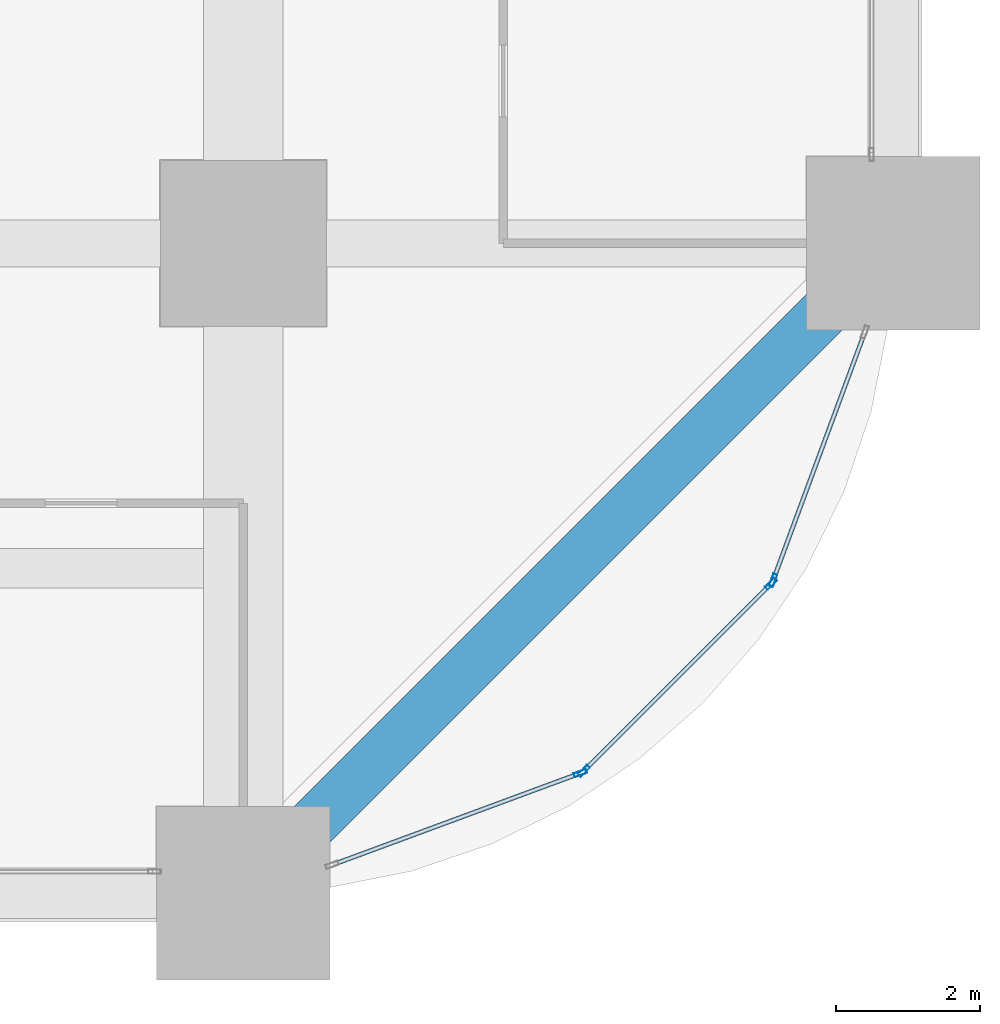
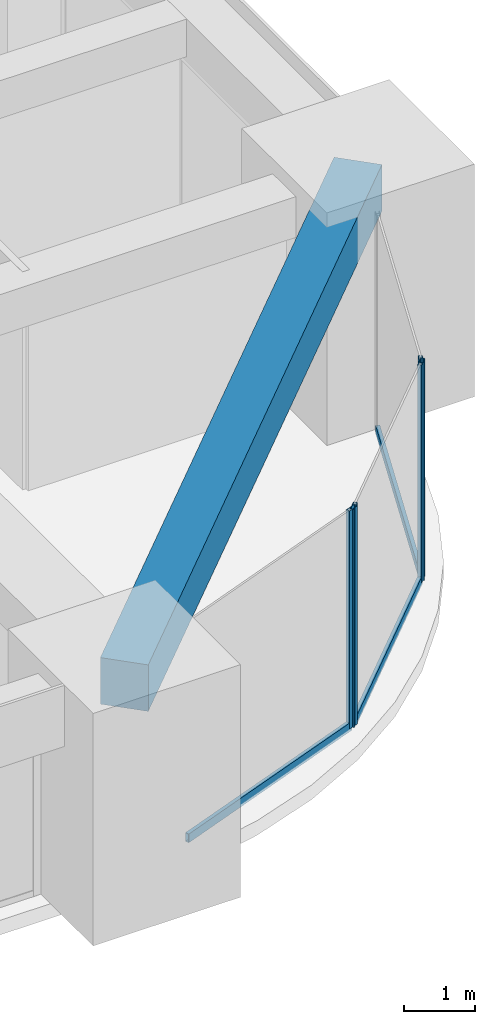
# One storey, part 16 of 45: 7 members, 1 beam, 3 elements without a shape of their own.
"""IFC4 building model written with IfcOpenShell, lengths in metres."""

from ifc_helpers import new_model, si_unit, direction, frame, origin, origin_2d, place, context, subcontext, project, spatial, rectangle, hollow_rectangle, extrude, material, material_profile, profile_set, type_object, element, aggregate, save


model = new_model("IFC4")

# Units and contexts
model_context = context("Model", 3, precision=1e-05, world=origin(), true_north=direction((0.0, 1.0)))
body_context = subcontext(model_context, "Body", "Model", "MODEL_VIEW")
ifc_project = project(units=[si_unit("LENGTHUNIT", "METRE"), si_unit("AREAUNIT", "SQUARE_METRE"), si_unit("VOLUMEUNIT", "CUBIC_METRE"), si_unit("PLANEANGLEUNIT", "RADIAN"), si_unit("MASSUNIT", "GRAM", prefix="KILO")], contexts=[model_context])

# Site, building, storey
site_placement = place(None, origin())
site = spatial("IfcSite", under=ifc_project, at=site_placement, CompositionType="ELEMENT")
building_placement = place(site_placement, origin())
building = spatial("IfcBuilding", under=site, at=building_placement, Name="Zorevar Civic Tower", CompositionType="ELEMENT")
storey_placement = place(building_placement, frame((0.0, 0.0, 23.800048828125)))
storey = spatial("IfcBuildingStorey", under=building, at=storey_placement, Name="L05", CompositionType="ELEMENT", Elevation=23.800048828125)

# Curtain wall, member
ifc_material_1 = material(Name="Dark grey solar-control glass in black aluminium frame", Category="aluminium")
curtain_wall_type = type_object("IfcCurtainWallType", Name="Curtain wall CW2 low zone", PredefinedType="NOTDEFINED", material=ifc_material_1)
curtain_wall_1_placement = place(storey_placement, origin())
curtain_wall_1 = element("IfcCurtainWall", 1, at=curtain_wall_1_placement, inside=storey, type_object=curtain_wall_type, Name="CW2 L05", PredefinedType="NOTDEFINED")
ifc_material_2 = material(Name="Aluminium, black anodised", Category="aluminium")
ifc_material_profile_1 = material_profile(ifc_material_2, hollow_rectangle(XDim=0.06005859375, YDim=0.179931640625, WallThickness=0.00390625, at=origin_2d()), Name="AL 180x60x4")
ifc_profile_set_1 = profile_set([ifc_material_profile_1], Name="Aluminium, black anodised")
member_type_1 = type_object("IfcMemberType", Name="CW2 mullion AL 180x60x4", PredefinedType="MULLION", material=ifc_profile_set_1)
member_1_placement = place(storey_placement, frame((58.66455078125, 1.663818359375, 0.0), z_axis=(0.0, 0.0, 1.0), x_axis=(-0.346704012033, 0.937974588163, 0.0)))
member_1 = element("IfcMember", 2, at=member_1_placement, type_object=member_type_1, Name="CW2 mullion 2", PredefinedType="MULLION", context=body_context, shape_type="SweptSolid", body=[
    extrude(hollow_rectangle(XDim=0.06005859375, YDim=0.179931640625, WallThickness=0.00390625, at=origin_2d()), origin(), (0.0, 0.0, 1.0), 3.75),
])

# Curtain wall, members
curtain_wall_2_placement = place(storey_placement, origin())
curtain_wall_2 = element("IfcCurtainWall", 3, at=curtain_wall_2_placement, inside=storey, type_object=curtain_wall_type, Name="CW2 L05", PredefinedType="NOTDEFINED")
member_2_placement = place(storey_placement, frame((58.7138671875, 1.6953125, 0.0), z_axis=(0.0, 0.0, 1.0), x_axis=(-0.707106781187, 0.707106781187, 0.0)))
member_2 = element("IfcMember", 4, at=member_2_placement, type_object=member_type_1, Name="CW2 mullion 1", PredefinedType="MULLION", context=body_context, shape_type="SweptSolid", body=[
    extrude(hollow_rectangle(XDim=0.06005859375, YDim=0.179931640625, WallThickness=0.00390625, at=origin_2d()), origin(), (0.0, 0.0, 1.0), 3.75),
])
member_3_placement = place(storey_placement, frame((61.3046875, 4.2861328125, 0.0), z_axis=(0.0, 0.0, 1.0), x_axis=(-0.707106781187, 0.707106781187, 0.0)))
member_3 = element("IfcMember", 5, at=member_3_placement, type_object=member_type_1, Name="CW2 mullion 2", PredefinedType="MULLION", context=body_context, shape_type="SweptSolid", body=[
    extrude(hollow_rectangle(XDim=0.06005859375, YDim=0.179931640625, WallThickness=0.00390625, at=origin_2d()), origin(), (0.0, 0.0, 1.0), 3.75),
])

# Curtain wall, member
curtain_wall_3_placement = place(storey_placement, origin())
curtain_wall_3 = element("IfcCurtainWall", 6, at=curtain_wall_3_placement, inside=storey, type_object=curtain_wall_type, Name="CW2 L05", PredefinedType="NOTDEFINED")
member_4_placement = place(storey_placement, frame((61.336181640625, 4.33544921875, 0.0), z_axis=(0.0, 0.0, 1.0), x_axis=(-0.937974588163, 0.346704012033, 0.0)))
member_4 = element("IfcMember", 7, at=member_4_placement, type_object=member_type_1, Name="CW2 mullion 1", PredefinedType="MULLION", context=body_context, shape_type="SweptSolid", body=[
    extrude(hollow_rectangle(XDim=0.06005859375, YDim=0.179931640625, WallThickness=0.00390625, at=origin_2d()), origin(), (0.0, 0.0, 1.0), 3.75),
])

# Member
ifc_material_3 = material(Name="Aluminium, black anodised", Category="aluminium")
ifc_material_profile_2 = material_profile(ifc_material_3, hollow_rectangle(XDim=0.06005859375, YDim=0.14990234375, WallThickness=0.00390625, at=origin_2d()), Name="AL 150x60x4")
ifc_profile_set_2 = profile_set([ifc_material_profile_2], Name="Aluminium, black anodised")
member_type_2 = type_object("IfcMemberType", Name="CW2 transom AL 150x60x4", PredefinedType="USERDEFINED", material=ifc_profile_set_2)
member_5_placement = place(storey_placement, frame((55.25634765625, 0.404052734375, 0.030029296875), z_axis=(0.93798635741, 0.346672169799, 0.0), x_axis=(-0.346672169799, 0.93798635741, 0.0)))
member_5 = element("IfcMember", 8, at=member_5_placement, type_object=member_type_2, Name="CW2 sill transom", ObjectType="TRANSOM", PredefinedType="USERDEFINED", context=body_context, shape_type="SweptSolid", body=[
    extrude(hollow_rectangle(XDim=0.06005859375, YDim=0.14990234375, WallThickness=0.00390625, at=origin_2d()), origin(), (0.0, 0.0, 1.0), 3.603515625),
])

aggregate(curtain_wall_1, [member_1, member_5])

member_6_placement = place(storey_placement, frame((58.735107421875, 1.716552734375, 0.030029296875), z_axis=(0.707106781187, 0.707106781187, 0.0), x_axis=(-0.707106781187, 0.707106781187, 0.0)))
member_6 = element("IfcMember", 9, at=member_6_placement, type_object=member_type_2, Name="CW2 sill transom", ObjectType="TRANSOM", PredefinedType="USERDEFINED", context=body_context, shape_type="SweptSolid", body=[
    extrude(hollow_rectangle(XDim=0.06005859375, YDim=0.14990234375, WallThickness=0.00390625, at=origin_2d()), origin(), (0.0, 0.0, 1.0), 3.60400390625),
])

aggregate(curtain_wall_2, [member_2, member_3, member_6])

member_7_placement = place(storey_placement, frame((61.3466796875, 4.363525390625, 0.030029296875), z_axis=(0.346672169799, 0.93798635741, 0.0), x_axis=(-0.93798635741, 0.346672169799, 0.0)))
member_7 = element("IfcMember", 10, at=member_7_placement, type_object=member_type_2, Name="CW2 sill transom", ObjectType="TRANSOM", PredefinedType="USERDEFINED", context=body_context, shape_type="SweptSolid", body=[
    extrude(hollow_rectangle(XDim=0.06005859375, YDim=0.14990234375, WallThickness=0.00390625, at=origin_2d()), origin(), (0.0, 0.0, 1.0), 3.603515625),
])

aggregate(curtain_wall_3, [member_4, member_7])

# Beam
ifc_material_4 = material(Name="Concrete C50/60", Category="concrete")
ifc_material_profile_3 = material_profile(ifc_material_4, rectangle(XDim=0.699951171875, YDim=0.800048828125, at=origin_2d()), Name="RC 700x800")
ifc_profile_set_3 = profile_set([ifc_material_profile_3], Name="Concrete C50/60")
beam_type = type_object("IfcBeamType", Name="Edge beam RC 700x800", PredefinedType="SPANDREL", material=ifc_profile_set_3)
beam_placement = place(storey_placement, frame((54.0, 0.0, 3.349853515625), z_axis=(0.707106781187, 0.707106781187, 0.0), x_axis=(-0.707106781187, 0.707106781187, 0.0)))
element("IfcBeam", 11, at=beam_placement, inside=storey, type_object=beam_type, Name="Corner edge beam L06", PredefinedType="SPANDREL", context=body_context, shape_type="SweptSolid", body=[
    extrude(rectangle(XDim=0.699951171875, YDim=0.800048828125, at=origin_2d()), origin(), (0.0, 0.0, 1.0), 12.72802734375),
])

save(model, "model.ifc")
